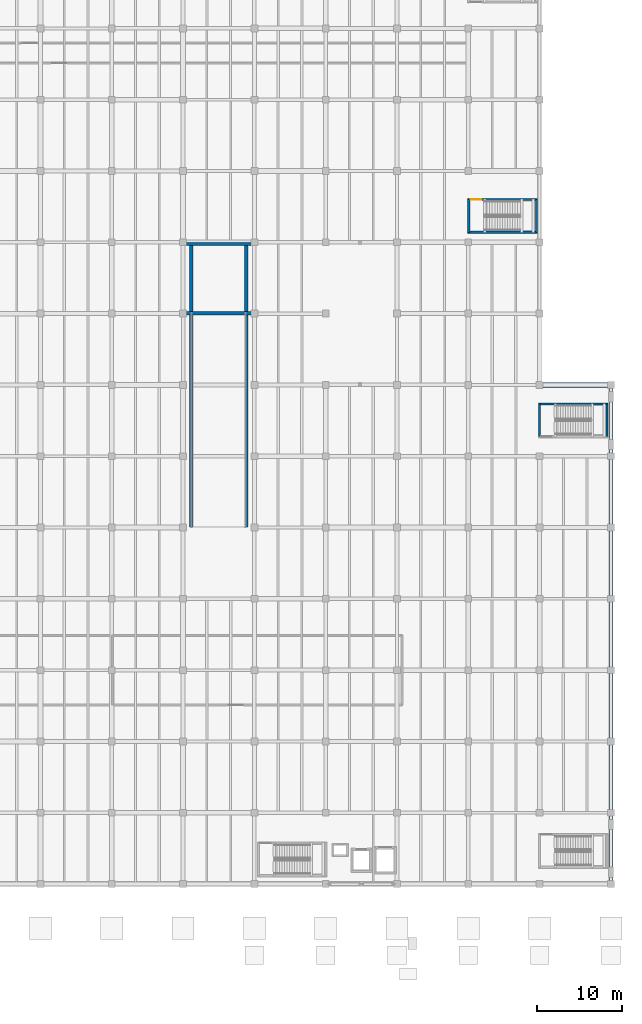
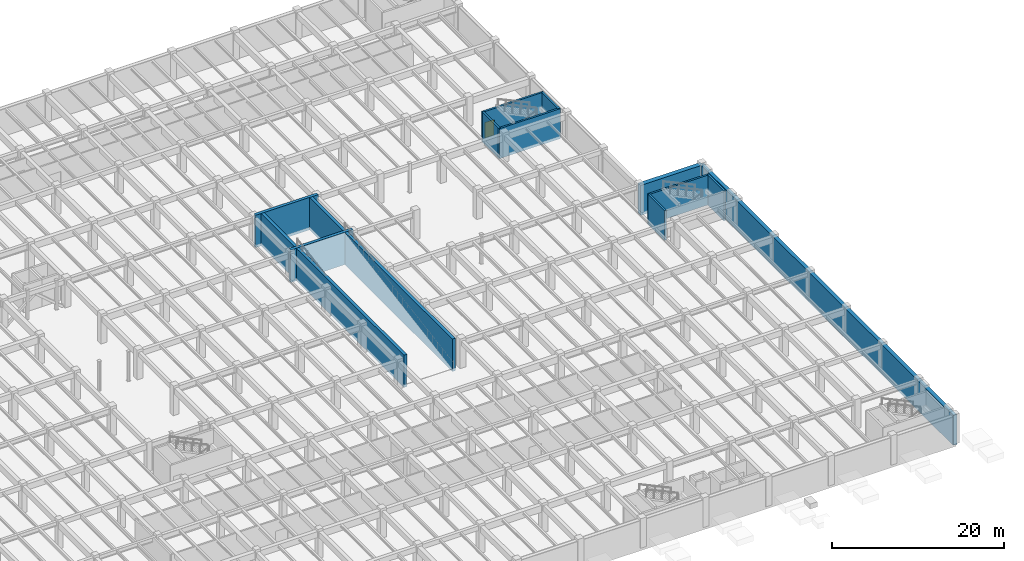
# One storey, part 47 of 63: 13 walls, 1 door, 1 opening.
"""IFC4 building model written with IfcOpenShell, lengths in metres."""

import ifcopenshell
import ifcopenshell.guid

model = None  # the IFC model being written
_history = None  # IfcOwnerHistory: only IFC2X3 demands one
_inside = {}  # id of a spatial element -> (the spatial element, [elements in it])
_under = {}  # id of a project, library or spatial element -> (it, [spatial elements below it])
_declared = {}  # id of a project -> (the project, [libraries it declares])
_typed = {}  # id of a type object -> (the type object, [elements of that type])
_made_of = {}  # id of a material, layer set ... -> (it, [elements and type objects made of it])


def new_model(schema):
    """Start an empty IFC model of exactly this schema.

    Asked for "IFC4X3", IfcOpenShell would pick the latest addendum, in which some entities
    have other attributes; the version numbers below select the first issue.
    IFC2X3 requires an IfcOwnerHistory on every rooted entity: one is made here for all.
    """
    global model, _history
    if schema == "IFC4X3":
        model = ifcopenshell.file(schema_version=(4, 3, 0, 0))
    else:
        model = ifcopenshell.file(schema=schema)
    _inside.clear()
    _under.clear()
    _declared.clear()
    _typed.clear()
    _made_of.clear()
    _history = None
    if model.schema == "IFC2X3":
        org = make("IfcOrganization", Name="unknown")
        user = make(
            "IfcPersonAndOrganization",
            ThePerson=make("IfcPerson", FamilyName="unknown"),
            TheOrganization=org,
        )
        app = make(
            "IfcApplication",
            ApplicationDeveloper=org,
            Version="unknown",
            ApplicationFullName="unknown",
            ApplicationIdentifier="unknown",
        )
        _history = make(
            "IfcOwnerHistory",
            OwningUser=user,
            OwningApplication=app,
            ChangeAction="ADDED",
            CreationDate=0,
        )
    return model


def make(cls, **values):
    """One entity of the class cls with the attributes given. An attribute that is None is left unset."""
    return model.create_entity(
        cls, **{name: value for name, value in values.items() if value is not None}
    )


def rooted(cls, **values):
    """An entity with a GlobalId (a new one), such as an element, a storey or a relation."""
    return make(cls, GlobalId=ifcopenshell.guid.new(), OwnerHistory=_history, **values)


def si_unit(unit_type, name, prefix=None):
    """IfcSIUnit, for example si_unit("LENGTHUNIT", "METRE", prefix="MILLI")."""
    return make("IfcSIUnit", UnitType=unit_type, Prefix=prefix, Name=name)


def assignment(units):
    """IfcUnitAssignment: the units of a project."""
    return None if units is None else make("IfcUnitAssignment", Units=units)


def point(xyz):
    """IfcCartesianPoint."""
    return None if xyz is None else make("IfcCartesianPoint", Coordinates=xyz)


def direction(xyz):
    """IfcDirection."""
    return None if xyz is None else make("IfcDirection", DirectionRatios=xyz)


def frame(location, z_axis=None, x_axis=None):
    """IfcAxis2Placement3D, a coordinate frame: its origin and axes. An axis left out is left unset."""
    return make(
        "IfcAxis2Placement3D",
        Location=point(location),
        Axis=direction(z_axis),
        RefDirection=direction(x_axis),
    )


def frame_2d(location, x_axis=None):
    """IfcAxis2Placement2D, a coordinate frame in the plane: its origin and x axis."""
    return make(
        "IfcAxis2Placement2D", Location=point(location), RefDirection=direction(x_axis)
    )


def origin():
    """The frame at (0, 0, 0) with its axes left unset."""
    return frame((0.0, 0.0, 0.0))


def place(relative_to, where):
    """IfcLocalPlacement: puts the frame where relative to a parent placement (None: the world)."""
    return make(
        "IfcLocalPlacement", PlacementRelTo=relative_to, RelativePlacement=where
    )


def context(
    kind, dimensions, precision=None, world=None, true_north=None, identifier=None
):
    """IfcGeometricRepresentationContext, for example the 3D "Model" context."""
    return make(
        "IfcGeometricRepresentationContext",
        ContextIdentifier=identifier,
        ContextType=kind,
        CoordinateSpaceDimension=dimensions,
        Precision=precision,
        WorldCoordinateSystem=world,
        TrueNorth=true_north,
    )


def subcontext(parent, identifier, kind, view, scale=None):
    """IfcGeometricRepresentationSubContext, for example "Body" below "Model"."""
    return make(
        "IfcGeometricRepresentationSubContext",
        ContextIdentifier=identifier,
        ContextType=kind,
        ParentContext=parent,
        TargetScale=scale,
        TargetView=view,
    )


def project(units=None, contexts=None):
    """IfcProject with its units and contexts."""
    return rooted(
        "IfcProject",
        Name="project",
        RepresentationContexts=contexts,
        UnitsInContext=assignment(units),
    )


def spatial(cls, under=None, at=None, **own):
    """A site, building, storey or space (cls), placed at a placement, below another one or the project."""
    s = rooted(cls, ObjectPlacement=at, **own)
    if under is not None:
        _under.setdefault(under.id(), (under, []))[1].append(s)
    return s


def profile(cls, at=None, kind="AREA", **sizes):
    """A parametric profile (cls). Its sizes go by their IFC names, for example OverallWidth=200.0."""
    return make(cls, ProfileType=kind, Position=at, **sizes)


def rectangle(**sizes):
    """IfcRectangleProfileDef."""
    return profile("IfcRectangleProfileDef", **sizes)


def extrude(swept, where, along, depth):
    """IfcExtrudedAreaSolid: the profile swept, set in the frame where, extruded along a direction by depth."""
    return make(
        "IfcExtrudedAreaSolid",
        SweptArea=swept,
        Position=where,
        ExtrudedDirection=direction(along),
        Depth=depth,
    )


def shape(context_of_items, identifier, shape_type, items):
    """IfcShapeRepresentation: the items that make up one representation, for example the "Body"."""
    return make(
        "IfcShapeRepresentation",
        ContextOfItems=context_of_items,
        RepresentationIdentifier=identifier,
        RepresentationType=shape_type,
        Items=items,
    )


def material(Name=None, Category=None):
    """IfcMaterial."""
    return make("IfcMaterial", Name=Name, Category=Category)


def layer(
    of_material, thickness, ventilated=None, Name=None, Category=None, Priority=None
):
    """IfcMaterialLayer: one layer of a wall or slab, of a material (None: an air gap)."""
    return make(
        "IfcMaterialLayer",
        Material=of_material,
        LayerThickness=thickness,
        IsVentilated=ventilated,
        Name=Name,
        Category=Category,
        Priority=Priority,
    )


def layer_set(layers, Name=None):
    """IfcMaterialLayerSet."""
    return make("IfcMaterialLayerSet", MaterialLayers=layers, LayerSetName=Name)


def made_of(thing, what):
    """Note that an element or type object is made of a material, layer set ...; save() writes the relation."""
    if what is not None:
        _made_of.setdefault(what.id(), (what, []))[1].append(thing)
    return thing


def type_object(cls, material=None, **own):
    """A type object (cls), such as IfcWallType, which elements share."""
    return made_of(rooted(cls, **own), material)


def element(
    cls,
    number,
    at=None,
    inside=None,
    cuts=None,
    type_object=None,
    material=None,
    context=None,
    identifier="Body",
    shape_type=None,
    held_by="IfcProductDefinitionShape",
    body=None,
    shapes=None,
    **own,
):
    """One element of the class cls, such as IfcWall. Its Tag is "e" and its number.

    at: its placement. inside: the storey or other place that contains it. cuts: it is an
    opening in that element (IfcRelVoidsElement). A single representation is given by context,
    identifier, shape_type and body (its items); several are given by shapes. held_by: the class
    of the entity that holds the representations. save() writes the other relations.
    """
    e = rooted(cls, Tag="e%d" % number, ObjectPlacement=at, **own)
    if body is not None:
        shapes = [shape(context, identifier, shape_type, body)]
    if shapes is not None:
        e.Representation = make(held_by, Representations=shapes)
    if inside is not None:
        _inside.setdefault(inside.id(), (inside, []))[1].append(e)
    if cuts is not None:
        rooted(
            "IfcRelVoidsElement", RelatingBuildingElement=cuts, RelatedOpeningElement=e
        )
    if type_object is not None:
        _typed.setdefault(type_object.id(), (type_object, []))[1].append(e)
    return made_of(e, material)


def fill(opening, filler):
    """IfcRelFillsElement: the door or window that sits in an opening."""
    return rooted(
        "IfcRelFillsElement",
        RelatingOpeningElement=opening,
        RelatedBuildingElement=filler,
    )


def aggregate(whole, parts):
    """IfcRelAggregates: a whole, such as a stair, and the parts it consists of."""
    return rooted("IfcRelAggregates", RelatingObject=whole, RelatedObjects=parts)


def save(model, path):
    """Write the relations noted so far, then the file.

    IfcRelAggregates (storeys below a building ...), IfcRelContainedInSpatialStructure (elements
    in a storey), IfcRelDefinesByType, IfcRelAssociatesMaterial and IfcRelDeclares: one each for
    every whole, place, type object, material and project.
    """
    for whole, parts in _under.values():
        aggregate(whole, parts)
    for where, things in _inside.values():
        rooted(
            "IfcRelContainedInSpatialStructure",
            RelatedElements=things,
            RelatingStructure=where,
        )
    for kind, things in _typed.values():
        rooted("IfcRelDefinesByType", RelatedObjects=things, RelatingType=kind)
    for what, things in _made_of.values():
        rooted("IfcRelAssociatesMaterial", RelatedObjects=things, RelatingMaterial=what)
    for by, libraries in _declared.values():
        rooted("IfcRelDeclares", RelatingContext=by, RelatedDefinitions=libraries)
    model.write(path)


model = new_model("IFC4")

# Units and contexts
model_context = context("Model", 3, precision=1e-05, world=origin(), true_north=direction((0.0, 1.0)))
body_context = subcontext(model_context, "Body", "Model", "MODEL_VIEW")
ifc_project = project(units=[si_unit("LENGTHUNIT", "METRE"), si_unit("AREAUNIT", "SQUARE_METRE"), si_unit("VOLUMEUNIT", "CUBIC_METRE"), si_unit("PLANEANGLEUNIT", "RADIAN"), si_unit("MASSUNIT", "GRAM", prefix="KILO")], contexts=[model_context])

# Site, building, storey
site_placement = place(None, origin())
site = spatial("IfcSite", under=ifc_project, at=site_placement, CompositionType="ELEMENT")
building_placement = place(site_placement, origin())
building = spatial("IfcBuilding", under=site, at=building_placement, Name="Cumbredor Promenade Congress Hotel", CompositionType="ELEMENT")
storey_placement = place(building_placement, frame((0.0, 0.0, -4.199951171875)))
storey = spatial("IfcBuildingStorey", under=building, at=storey_placement, Name="B01", CompositionType="ELEMENT", Elevation=-4.199951171875)

# Walls
ifc_material_1 = material(Name="Concrete C40/50", Category="concrete")
ifc_layer_1 = layer(ifc_material_1, 0.5, Name="Concrete C40/50", Category="concrete")
ifc_layer_set_1 = layer_set([ifc_layer_1], Name="Concrete C40/50")
wall_type_1 = type_object("IfcWallType", Name="Basement Retaining Wall 500mm", PredefinedType="USERDEFINED", material=ifc_layer_set_1)
wall_1_placement = place(storey_placement, frame((184.800048828125, 8.39990234375, -0.400146484375), z_axis=(0.0, 0.0, 1.0), x_axis=(0.0, 1.0, 0.0)))
element("IfcWall", 1, at=wall_1_placement, inside=storey, type_object=wall_type_1, Name="B01 Basement Retaining Wall RW-B01-02", ObjectType="RETAINING WALL", PredefinedType="USERDEFINED", context=body_context, shape_type="SweptSolid", body=[
    extrude(rectangle(XDim=58.800048828125, YDim=0.5, at=frame_2d((29.39990234375, 0.0))), origin(), (0.0, 0.0, 1.0), 4.25),
])
ifc_layer_2 = layer(ifc_material_1, 0.60009765625, Name="Concrete C40/50", Category="concrete")
ifc_layer_set_2 = layer_set([ifc_layer_2], Name="Concrete C40/50")
wall_type_2 = type_object("IfcWallType", Name="Basement Retaining Wall 600mm", PredefinedType="USERDEFINED", material=ifc_layer_set_2)
wall_2_placement = place(storey_placement, frame((184.800048828125, 67.199951171875, -0.400146484375), z_axis=(0.0, 0.0, 1.0), x_axis=(-1.0, 0.0, 0.0)))
element("IfcWall", 2, at=wall_2_placement, inside=storey, type_object=wall_type_2, Name="B01 Basement Retaining Wall RW-B01-03", ObjectType="RETAINING WALL", PredefinedType="USERDEFINED", context=body_context, shape_type="SweptSolid", body=[
    extrude(rectangle(XDim=8.400146484375, YDim=0.60009765625, at=frame_2d((4.2001953125, 0.0))), origin(), (0.0, 0.0, 1.0), 4.25),
])
ifc_material_2 = material(Name="Concrete C50/60", Category="concrete")
ifc_layer_3 = layer(ifc_material_2, 0.39990234375, Name="Concrete C50/60", Category="concrete")
ifc_layer_set_3 = layer_set([ifc_layer_3], Name="Concrete C50/60")
wall_type_3 = type_object("IfcWallType", Name="Seismic Shear Core Wall 400mm", PredefinedType="SHEAR", material=ifc_layer_set_3)
for number, where, z_axis, x_axis, name in (
    (3, (134.39990234375, 75.64990234375, -0.400146484375), (0.0, 0.0, 1.0), (1.0, 0.0, 0.0), "B01 Vehicle Ramp Top Bearing Crosswall"),
    (4, (134.39990234375, 83.800048828125, -0.400146484375), (0.0, 0.0, 1.0), (1.0, 0.0, 0.0), "B01 Vehicle Apron North Bearing Wall"),
):
    element("IfcWall", number, at=place(storey_placement, frame(where, z_axis=z_axis, x_axis=x_axis)), inside=storey, type_object=wall_type_3, Name=name, PredefinedType="SHEAR", context=body_context, shape_type="SweptSolid", body=[
        extrude(rectangle(XDim=8.400146484375, YDim=0.39990234375, at=frame_2d((4.2001953125, 0.0))), origin(), (0.0, 0.0, 1.0), 4.60009765625),
    ])
for number, where, z_axis, x_axis, name in (
    (5, (135.35009765625, 50.449951171875, -0.400146484375), (0.0, 0.0, 1.0), (0.0, 1.0, 0.0), "B01 Vehicle Ramp West Retaining Cheek Wall"),
    (6, (141.85009765625, 50.449951171875, -0.400146484375), (0.0, 0.0, 1.0), (0.0, 1.0, 0.0), "B01 Vehicle Ramp East Retaining Cheek Wall"),
):
    element("IfcWall", number, at=place(storey_placement, frame(where, z_axis=z_axis, x_axis=x_axis)), inside=storey, type_object=wall_type_3, Name=name, PredefinedType="SHEAR", context=body_context, shape_type="SweptSolid", body=[
        extrude(rectangle(XDim=33.35009765625, YDim=0.39990234375, at=frame_2d((16.675048828125, 0.0))), origin(), (0.0, 0.0, 1.0), 4.60009765625),
    ])
ifc_layer_4 = layer(ifc_material_1, 0.2548828125, Name="Concrete C40/50", Category="concrete")
ifc_layer_set_4 = layer_set([ifc_layer_4], Name="Concrete C40/50")
wall_type_4 = type_object("IfcWallType", Name="WL-SHAFT-250", PredefinedType="SOLIDWALL", material=ifc_layer_set_4)
wall_3_placement = place(storey_placement, frame((176.25244140625, 64.949951171875, -0.400146484375), z_axis=(0.0, 0.0, 1.0), x_axis=(1.0, 0.0, 0.0)))
element("IfcWall", 7, at=wall_3_placement, inside=storey, type_object=wall_type_4, Name="STAIR-ST-10-B01 Shaft Wall North", PredefinedType="SOLIDWALL", context=body_context, shape_type="SweptSolid", body=[
    extrude(rectangle(XDim=8.22509765625, YDim=0.2548828125, at=frame_2d((4.112548828125, 0.0))), origin(), (0.0, 0.0, 1.0), 4.25),
])
for number, where, z_axis, x_axis, name in (
    (8, (176.3798828125, 61.10009765625, -0.400146484375), (0.0, 0.0, 1.0), (0.0, 1.0, 0.0), "STAIR-ST-10-B01 Shaft Wall West"),
    (9, (184.35009765625, 61.10009765625, -0.400146484375), (0.0, 0.0, 1.0), (0.0, 1.0, 0.0), "STAIR-ST-10-B01 Shaft Wall East"),
):
    element("IfcWall", number, at=place(storey_placement, frame(where, z_axis=z_axis, x_axis=x_axis)), inside=storey, type_object=wall_type_4, Name=name, PredefinedType="SOLIDWALL", context=body_context, shape_type="SweptSolid", body=[
        extrude(rectangle(XDim=3.849853515625, YDim=0.2548828125, at=frame_2d((1.9248046875, 0.0))), origin(), (0.0, 0.0, 1.0), 4.25),
    ])
wall_4_placement = place(storey_placement, frame((167.922607421875, 85.179931640625, -0.400146484375), z_axis=(0.0, 0.0, 1.0), x_axis=(1.0, 0.0, 0.0)))
element("IfcWall", 10, at=wall_4_placement, inside=storey, type_object=wall_type_4, Name="STAIR-ST-14-B01 Shaft Wall South", PredefinedType="SOLIDWALL", context=body_context, shape_type="SweptSolid", body=[
    extrude(rectangle(XDim=8.224853515625, YDim=0.2548828125, at=frame_2d((4.1123046875, 0.0))), origin(), (0.0, 0.0, 1.0), 4.25),
])

# Wall, opening, door
wall_5_placement = place(storey_placement, frame((167.922607421875, 89.050048828125, -0.400146484375), z_axis=(0.0, 0.0, 1.0), x_axis=(1.0, 0.0, 0.0)))
wall_5 = element("IfcWall", 11, at=wall_5_placement, inside=storey, type_object=wall_type_4, Name="STAIR-ST-14-B01 Shaft Wall North", PredefinedType="SOLIDWALL", context=body_context, shape_type="SweptSolid", body=[
    extrude(rectangle(XDim=8.224853515625, YDim=0.2548828125, at=frame_2d((4.1123046875, 0.0))), origin(), (0.0, 0.0, 1.0), 4.25),
])
opening_placement = place(wall_5_placement, frame((0.35009765625, 0.0, 0.39990234375)))
opening = element("IfcOpeningElement", 12, at=opening_placement, cuts=wall_5, Name="Opening SD-02", PredefinedType="OPENING", context=body_context, shape_type="SweptSolid", body=[
    extrude(rectangle(XDim=1.25, YDim=2.199951171875, at=frame_2d((0.625, 1.10009765625))), frame((0.0, 0.137451171875, 0.0), z_axis=(0.0, -1.0, 0.0), x_axis=(1.0, 0.0, 0.0)), (0.0, 0.0, 1.0), 0.27490234375),
])
ifc_material_3 = material(Name="Painted galvanized steel fire door", Category="steel")
door_type = type_object("IfcDoorType", Name="DR-STAIR-FD90-1250", OperationType="NOTDEFINED", PredefinedType="DOOR", material=ifc_material_3)
door_placement = place(opening_placement, origin())
door = element("IfcDoor", 13, at=door_placement, inside=storey, type_object=door_type, Name="B01 Protected Exit Stair ST-14 Door", OperationType="SINGLE_SWING_LEFT", OverallHeight=2.199951171875, OverallWidth=1.25, PredefinedType="DOOR", context=body_context, shape_type="SweptSolid", body=[
    extrude(rectangle(XDim=1.25, YDim=2.199951171875, at=frame_2d((0.625, 1.10009765625))), frame((0.0, 0.02490234375, 0.0), z_axis=(0.0, -1.0, 0.0), x_axis=(1.0, 0.0, 0.0)), (0.0, 0.0, 1.0), 0.050048828125),
])
fill(opening, door)

# Walls
for number, where, z_axis, x_axis, name in (
    (14, (168.050048828125, 85.179931640625, -0.400146484375), (0.0, 0.0, 1.0), (0.0, 1.0, 0.0), "STAIR-ST-14-B01 Shaft Wall West"),
    (15, (176.02001953125, 85.179931640625, -0.400146484375), (0.0, 0.0, 1.0), (0.0, 1.0, 0.0), "STAIR-ST-14-B01 Shaft Wall East"),
):
    element("IfcWall", number, at=place(storey_placement, frame(where, z_axis=z_axis, x_axis=x_axis)), inside=storey, type_object=wall_type_4, Name=name, PredefinedType="SOLIDWALL", context=body_context, shape_type="SweptSolid", body=[
        extrude(rectangle(XDim=3.8701171875, YDim=0.2548828125, at=frame_2d((1.93505859375, 0.0))), origin(), (0.0, 0.0, 1.0), 4.25),
    ])

save(model, "model.ifc")
